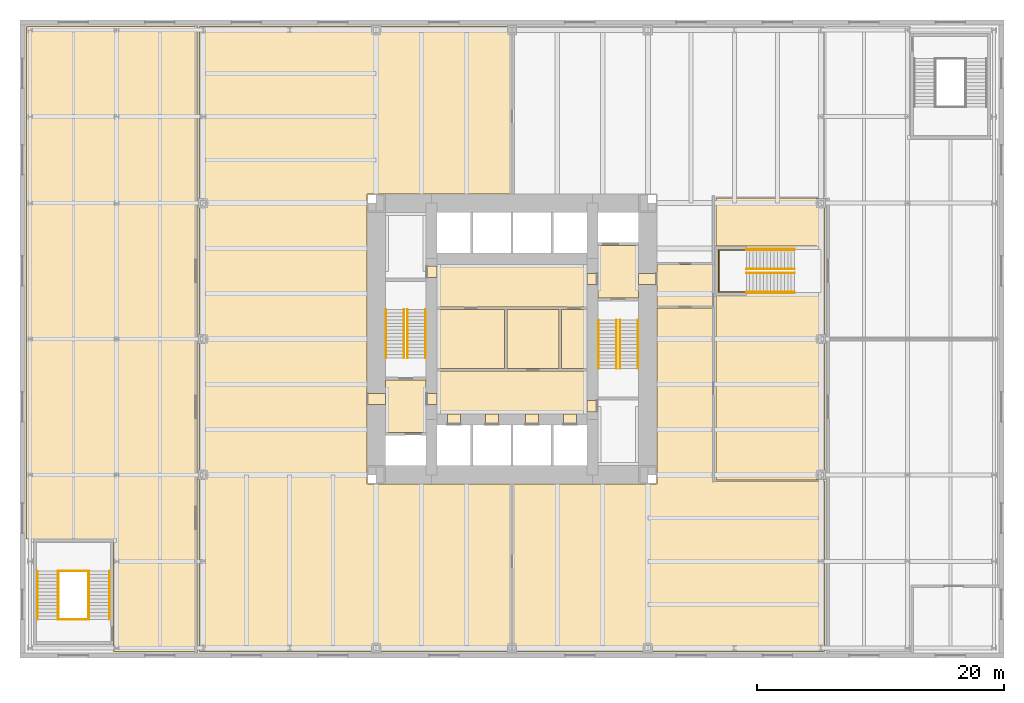
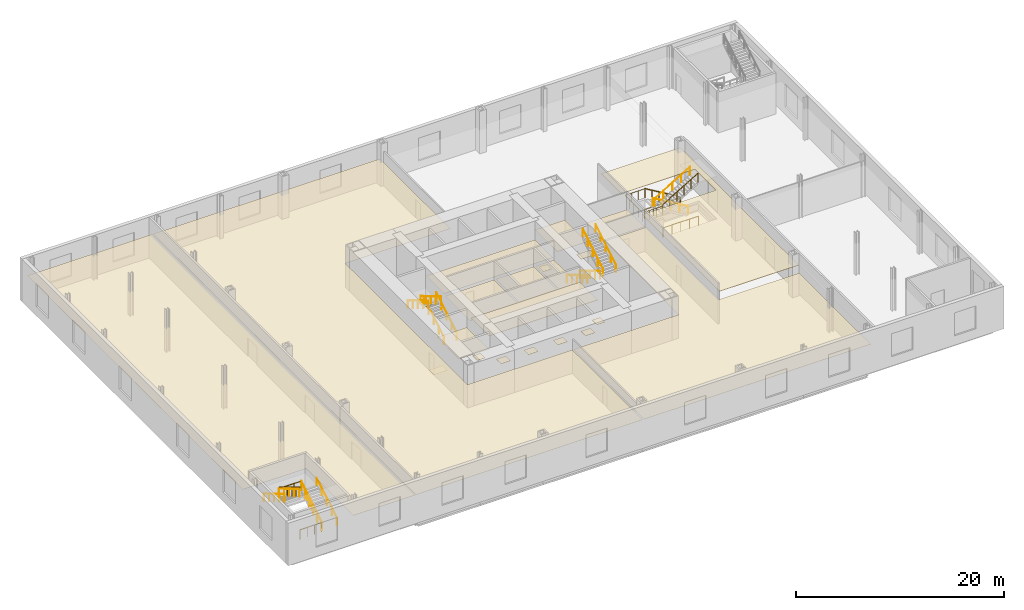
# One storey, part 12 of 13: 23 railings, 22 coverings.
"""IFC4 building model written with IfcOpenShell, lengths in metres."""

from ifc_helpers import new_model, si_unit, direction, frame, origin, origin_2d, place, context, subcontext, project, spatial, polyline, circle, outline, extrude, material, layer, layer_set, type_object, element, save


model = new_model("IFC4")

# Units and contexts
model_context = context("Model", 3, precision=1e-05, world=origin(), true_north=direction((0.0, 1.0)))
body_context = subcontext(model_context, "Body", "Model", "MODEL_VIEW")
ifc_project = project(units=[si_unit("LENGTHUNIT", "METRE"), si_unit("AREAUNIT", "SQUARE_METRE"), si_unit("VOLUMEUNIT", "CUBIC_METRE"), si_unit("PLANEANGLEUNIT", "RADIAN"), si_unit("MASSUNIT", "GRAM", prefix="KILO")], contexts=[model_context])

# Site, building, storey
site_placement = place(None, origin())
site = spatial("IfcSite", under=ifc_project, at=site_placement, CompositionType="ELEMENT")
building_placement = place(site_placement, origin())
building = spatial("IfcBuilding", under=site, at=building_placement, Name="Trevanion Tower", CompositionType="ELEMENT")
storey_placement = place(building_placement, frame((0.0, 0.0, 6.0)))
storey = spatial("IfcBuildingStorey", under=building, at=storey_placement, Name="L01", CompositionType="ELEMENT", Elevation=6.0)

# Coverings
ifc_material_1 = material(Name="Fibrous plaster coffers on suspended steel grid", Category="steel")
ifc_layer_1 = layer(ifc_material_1, 0.050048828125)
ifc_layer_set_1 = layer_set([ifc_layer_1], Name="CL1 coffered fibrous plaster ceiling 50")
covering_type_1 = type_object("IfcCoveringType", Name="CL1 coffered fibrous plaster ceiling 50", PredefinedType="CEILING", material=ifc_layer_set_1)
covering_1_placement = place(storey_placement, frame((0.0, 0.0, 3.0)))
element("IfcCovering", 1, at=covering_1_placement, inside=storey, type_object=covering_type_1, Name="CL1 L01-LBS", PredefinedType="CEILING", context=body_context, shape_type="SweptSolid", body=[
    extrude(outline(polyline([(-6.050048828125, -6.050048828125), (-6.050048828125, -2.60009765625), (6.050048828125, -2.60009765625), (6.050048828125, -6.050048828125), (-6.050048828125, -6.050048828125)])), origin(), (0.0, 0.0, 1.0), 0.050048828125),
])
covering_2_placement = place(storey_placement, frame((0.0, 0.0, 3.60009765625)))
element("IfcCovering", 2, at=covering_2_placement, inside=storey, type_object=covering_type_1, Name="CL1 L01-CF", PredefinedType="CEILING", context=body_context, shape_type="SweptSolid", body=[
    extrude(outline(polyline([(16.5, -11.39990234375), (16.5, 3.469970703125), (24.679931640625, 3.469970703125), (24.679931640625, 7.530029296875), (16.5, 7.530029296875), (16.5, 11.39990234375), (25.300048828125, 11.39990234375), (25.300048828125, -11.39990234375), (16.5, -11.39990234375)])), origin(), (0.0, 0.0, 1.0), 0.0498046875),
])
ifc_material_2 = material(Name="Mineral fibre acoustic tiles in exposed grid", Category="mineral fibre")
ifc_layer_2 = layer(ifc_material_2, 0.02001953125)
ifc_layer_set_2 = layer_set([ifc_layer_2], Name="CL2 acoustic tile ceiling 20")
covering_type_2 = type_object("IfcCoveringType", Name="CL2 acoustic tile ceiling 20", PredefinedType="CEILING", material=ifc_layer_set_2)
covering_3_placement = place(storey_placement, frame((0.0, 0.0, 2.75)))
element("IfcCovering", 3, at=covering_3_placement, inside=storey, type_object=covering_type_2, Name="CL2 L01-LBN", PredefinedType="CEILING", context=body_context, shape_type="SweptSolid", body=[
    extrude(outline(polyline([(-6.050048828125, 2.60009765625), (-6.050048828125, 6.050048828125), (6.050048828125, 6.050048828125), (6.050048828125, 2.60009765625), (-6.050048828125, 2.60009765625)])), origin(), (0.0, 0.0, 1.0), 0.02001953125),
])
covering_4_placement = place(storey_placement, frame((0.0, 0.0, 2.75)))
element("IfcCovering", 4, at=covering_4_placement, inside=storey, type_object=covering_type_2, Name="CL2 L01-OF", PredefinedType="CEILING", context=body_context, shape_type="SweptSolid", body=[
    extrude(outline(polyline([(-25.300048828125, 25.300048828125), (-0.074951171875, 25.300048828125), (-0.074951171875, 11.75), (-11.75, 11.75), (-11.75, -11.75), (-0.074951171875, -11.75), (-0.074951171875, -25.300048828125), (-25.300048828125, -25.300048828125), (-25.300048828125, 25.300048828125)])), origin(), (0.0, 0.0, 1.0), 0.02001953125),
])
covering_5_placement = place(storey_placement, frame((0.0, 0.0, 2.75)))
element("IfcCovering", 5, at=covering_5_placement, inside=storey, type_object=covering_type_2, Name="CL2 L01-FCR", PredefinedType="CEILING", context=body_context, shape_type="SweptSolid", body=[
    extrude(outline(polyline([(16.300048828125, 6.02490234375), (16.300048828125, 2.675048828125), (11.75, 2.675048828125), (11.75, 6.02490234375), (16.300048828125, 6.02490234375)])), origin(), (0.0, 0.0, 1.0), 0.02001953125),
])
covering_6_placement = place(storey_placement, frame((0.0, 0.0, 2.75)))
element("IfcCovering", 6, at=covering_6_placement, inside=storey, type_object=covering_type_2, Name="CL2 L01-BR", PredefinedType="CEILING", context=body_context, shape_type="SweptSolid", body=[
    extrude(outline(polyline([(25.300048828125, -11.5), (25.300048828125, -25.300048828125), (0.074951171875, -25.300048828125), (0.074951171875, -11.75), (11.75, -11.75), (11.75, 2.52490234375), (16.39990234375, 2.52490234375), (16.39990234375, -11.5), (25.300048828125, -11.5)])), origin(), (0.0, 0.0, 1.0), 0.02001953125),
])
covering_7_placement = place(storey_placement, frame((0.0, 0.0, 2.75)))
element("IfcCovering", 7, at=covering_7_placement, inside=storey, type_object=covering_type_2, Name="CL2 L01-MT", PredefinedType="CEILING", context=body_context, shape_type="SweptSolid", body=[
    extrude(outline(polyline([(-25.39990234375, -25.300048828125), (-32.25, -25.300048828125), (-32.25, -16.18994140625), (-39.300048828125, -16.18994140625), (-39.300048828125, 25.300048828125), (-25.39990234375, 25.300048828125), (-25.39990234375, -25.300048828125)])), origin(), (0.0, 0.0, 1.0), 0.02001953125),
])
ifc_material_3 = material(Name="Gypsum plasterboard on suspended metal furring", Category="gypsum")
ifc_layer_3 = layer(ifc_material_3, 0.012939453125)
ifc_layer_set_3 = layer_set([ifc_layer_3], Name="CL3 plasterboard ceiling 13")
covering_type_3 = type_object("IfcCoveringType", Name="CL3 plasterboard ceiling 13", PredefinedType="CEILING", material=ifc_layer_set_3)
covering_8_placement = place(storey_placement, frame((0.0, 0.0, 2.699951171875)))
element("IfcCovering", 8, at=covering_8_placement, inside=storey, type_object=covering_type_3, Name="CL3 L01-FV1", PredefinedType="CEILING", context=body_context, shape_type="SweptSolid", body=[
    extrude(outline(polyline([(6.949951171875, 3.324951171875), (6.949951171875, 7.574951171875), (10.25, 7.574951171875), (10.25, 3.324951171875), (6.949951171875, 3.324951171875)])), origin(), (0.0, 0.0, 1.0), 0.012939453125),
])
covering_9_placement = place(storey_placement, frame((0.0, 0.0, 2.699951171875)))
element("IfcCovering", 9, at=covering_9_placement, inside=storey, type_object=covering_type_3, Name="CL3 L01-FV2", PredefinedType="CEILING", context=body_context, shape_type="SweptSolid", body=[
    extrude(outline(polyline([(-6.949951171875, -3.324951171875), (-6.949951171875, -7.574951171875), (-10.25, -7.574951171875), (-10.25, -3.324951171875), (-6.949951171875, -3.324951171875)])), origin(), (0.0, 0.0, 1.0), 0.012939453125),
])
ifc_material_4 = material(Name="Moisture-resistant gypsum board on suspended metal furring", Category="gypsum")
ifc_layer_4 = layer(ifc_material_4, 0.01611328125)
ifc_layer_set_4 = layer_set([ifc_layer_4], Name="CL4 moisture-resistant board ceiling 16")
covering_type_4 = type_object("IfcCoveringType", Name="CL4 moisture-resistant board ceiling 16", PredefinedType="CEILING", material=ifc_layer_set_4)
covering_10_placement = place(storey_placement, frame((0.0, 0.0, 2.60009765625)))
element("IfcCovering", 10, at=covering_10_placement, inside=storey, type_object=covering_type_4, Name="CL4 L01-WCM", PredefinedType="CEILING", context=body_context, shape_type="SweptSolid", body=[
    extrude(outline(polyline([(-6.050048828125, -2.39990234375), (-6.050048828125, 2.39990234375), (-0.60009765625, 2.39990234375), (-0.60009765625, -2.39990234375), (-6.050048828125, -2.39990234375)])), origin(), (0.0, 0.0, 1.0), 0.015869140625),
])
covering_11_placement = place(storey_placement, frame((0.0, 0.0, 2.60009765625)))
element("IfcCovering", 11, at=covering_11_placement, inside=storey, type_object=covering_type_4, Name="CL4 L01-WCF", PredefinedType="CEILING", context=body_context, shape_type="SweptSolid", body=[
    extrude(outline(polyline([(-0.39990234375, -2.39990234375), (-0.39990234375, 2.39990234375), (3.800048828125, 2.39990234375), (3.800048828125, -2.39990234375), (-0.39990234375, -2.39990234375)])), origin(), (0.0, 0.0, 1.0), 0.015869140625),
])
covering_12_placement = place(storey_placement, frame((0.0, 0.0, 2.60009765625)))
element("IfcCovering", 12, at=covering_12_placement, inside=storey, type_object=covering_type_4, Name="CL4 L01-WCA", PredefinedType="CEILING", context=body_context, shape_type="SweptSolid", body=[
    extrude(outline(polyline([(4.0, -2.39990234375), (4.0, 2.39990234375), (6.050048828125, 2.39990234375), (6.050048828125, -2.39990234375), (4.0, -2.39990234375)])), origin(), (0.0, 0.0, 1.0), 0.015869140625),
])
ifc_material_5 = material(Name="Terrazzo, brass divider strips", Category="stone")
ifc_layer_5 = layer(ifc_material_5, 0.02001953125)
ifc_layer_set_5 = layer_set([ifc_layer_5], Name="FF1 terrazzo flooring")
covering_type_5 = type_object("IfcCoveringType", Name="FF1 terrazzo flooring", PredefinedType="FLOORING", material=ifc_layer_set_5)
covering_13_placement = place(storey_placement, origin())
element("IfcCovering", 13, at=covering_13_placement, inside=storey, type_object=covering_type_5, Name="FF1 threshold 01-001", PredefinedType="FLOORING", context=body_context, shape_type="SweptSolid", body=[
    extrude(outline(polyline([(11.75, 4.392578125), (11.75, 5.3076171875), (10.25, 5.3076171875), (10.25, 4.392578125), (11.75, 4.392578125)])), origin(), (0.0, 0.0, 1.0), 0.02001953125),
])
covering_14_placement = place(storey_placement, origin())
element("IfcCovering", 14, at=covering_14_placement, inside=storey, type_object=covering_type_5, Name="FF1 threshold 01-002", PredefinedType="FLOORING", context=body_context, shape_type="SweptSolid", body=[
    extrude(outline(polyline([(-11.75, -4.392578125), (-11.75, -5.3076171875), (-10.25, -5.3076171875), (-10.25, -4.392578125), (-11.75, -4.392578125)])), origin(), (0.0, 0.0, 1.0), 0.02001953125),
])
covering_15_placement = place(storey_placement, origin())
element("IfcCovering", 15, at=covering_15_placement, inside=storey, type_object=covering_type_5, Name="FF1 threshold 01-003", PredefinedType="FLOORING", context=body_context, shape_type="SweptSolid", body=[
    extrude(outline(polyline([(6.949951171875, 4.392578125), (6.949951171875, 5.3076171875), (6.050048828125, 5.3076171875), (6.050048828125, 4.392578125), (6.949951171875, 4.392578125)])), origin(), (0.0, 0.0, 1.0), 0.02001953125),
])
covering_16_placement = place(storey_placement, origin())
element("IfcCovering", 16, at=covering_16_placement, inside=storey, type_object=covering_type_5, Name="FF1 threshold 01-004", PredefinedType="FLOORING", context=body_context, shape_type="SweptSolid", body=[
    extrude(outline(polyline([(-6.949951171875, -4.392578125), (-6.949951171875, -5.3076171875), (-6.050048828125, -5.3076171875), (-6.050048828125, -4.392578125), (-6.949951171875, -4.392578125)])), origin(), (0.0, 0.0, 1.0), 0.02001953125),
])
covering_17_placement = place(storey_placement, origin())
element("IfcCovering", 17, at=covering_17_placement, inside=storey, type_object=covering_type_5, Name="FF1 threshold 01-009", PredefinedType="FLOORING", context=body_context, shape_type="SweptSolid", body=[
    extrude(outline(polyline([(6.949951171875, -5.889892578125), (6.949951171875, -4.97509765625), (6.050048828125, -4.97509765625), (6.050048828125, -5.889892578125), (6.949951171875, -5.889892578125)])), origin(), (0.0, 0.0, 1.0), 0.02001953125),
])
covering_18_placement = place(storey_placement, origin())
element("IfcCovering", 18, at=covering_18_placement, inside=storey, type_object=covering_type_5, Name="FF1 threshold 01-010", PredefinedType="FLOORING", context=body_context, shape_type="SweptSolid", body=[
    extrude(outline(polyline([(-6.949951171875, 5.889892578125), (-6.949951171875, 4.97509765625), (-6.050048828125, 4.97509765625), (-6.050048828125, 5.889892578125), (-6.949951171875, 5.889892578125)])), origin(), (0.0, 0.0, 1.0), 0.02001953125),
])
covering_19_placement = place(storey_placement, origin())
element("IfcCovering", 19, at=covering_19_placement, inside=storey, type_object=covering_type_5, Name="FF1 threshold 01-011", PredefinedType="FLOORING", context=body_context, shape_type="SweptSolid", body=[
    extrude(outline(polyline([(-5.2333984375, -6.949951171875), (-4.16650390625, -6.949951171875), (-4.16650390625, -6.050048828125), (-5.2333984375, -6.050048828125), (-5.2333984375, -6.949951171875)])), origin(), (0.0, 0.0, 1.0), 0.02001953125),
])
covering_20_placement = place(storey_placement, origin())
element("IfcCovering", 20, at=covering_20_placement, inside=storey, type_object=covering_type_5, Name="FF1 threshold 01-012", PredefinedType="FLOORING", context=body_context, shape_type="SweptSolid", body=[
    extrude(outline(polyline([(-2.158447265625, -6.949951171875), (-1.091552734375, -6.949951171875), (-1.091552734375, -6.050048828125), (-2.158447265625, -6.050048828125), (-2.158447265625, -6.949951171875)])), origin(), (0.0, 0.0, 1.0), 0.02001953125),
])
covering_21_placement = place(storey_placement, origin())
element("IfcCovering", 21, at=covering_21_placement, inside=storey, type_object=covering_type_5, Name="FF1 threshold 01-013", PredefinedType="FLOORING", context=body_context, shape_type="SweptSolid", body=[
    extrude(outline(polyline([(1.091552734375, -6.949951171875), (2.158447265625, -6.949951171875), (2.158447265625, -6.050048828125), (1.091552734375, -6.050048828125), (1.091552734375, -6.949951171875)])), origin(), (0.0, 0.0, 1.0), 0.02001953125),
])
covering_22_placement = place(storey_placement, origin())
element("IfcCovering", 22, at=covering_22_placement, inside=storey, type_object=covering_type_5, Name="FF1 threshold 01-014", PredefinedType="FLOORING", context=body_context, shape_type="SweptSolid", body=[
    extrude(outline(polyline([(4.16650390625, -6.949951171875), (5.2333984375, -6.949951171875), (5.2333984375, -6.050048828125), (4.16650390625, -6.050048828125), (4.16650390625, -6.949951171875)])), origin(), (0.0, 0.0, 1.0), 0.02001953125),
])

# Railings
ifc_material_6 = material(Name="Painted steel balusters and stainless steel top rail", Category="steel")
railing_type_1 = type_object("IfcRailingType", Name="GR1 stair guard 1100", PredefinedType="GUARDRAIL", material=ifc_material_6)
for number, where, name in (
    (23, (-34.284912109375, -22.705078125, 0.0), "GR1 ST4 L01 floor landing well guard"),
    (24, (-34.284912109375, -18.784912109375, 2.5), "GR1 ST4 L01 half landing well guard"),
):
    element("IfcRailing", number, at=place(storey_placement, frame(where)), inside=storey, type_object=railing_type_1, Name=name, PredefinedType="GUARDRAIL", context=body_context, shape_type="SweptSolid", body=[
        extrude(circle(Radius=0.02490234375, at=origin_2d()), frame((0.0, 0.0, 1.0751953125), z_axis=(-1.0, 0.0, 0.0), x_axis=(0.0, -1.0, 0.0)), (0.0, 0.0, 1.0), 2.405029296875),
        extrude(circle(Radius=0.02001953125, at=origin_2d()), origin(), (0.0, 0.0, 1.0), 1.050048828125),
        extrude(circle(Radius=0.02001953125, at=origin_2d()), frame((-0.8017578125, 0.0, 0.0)), (0.0, 0.0, 1.0), 1.050048828125),
        extrude(circle(Radius=0.02001953125, at=origin_2d()), frame((-1.603271484375, 0.0, 0.0)), (0.0, 0.0, 1.0), 1.050048828125),
        extrude(circle(Radius=0.02001953125, at=origin_2d()), frame((-2.405029296875, 0.0, 0.0)), (0.0, 0.0, 1.0), 1.050048828125),
    ])
railing_1_placement = place(storey_placement, frame((-34.284912109375, -22.705078125, 0.166748046875)))
element("IfcRailing", 25, at=railing_1_placement, inside=storey, type_object=railing_type_1, Name="GR1 ST4 L01 flight 1 well guard", PredefinedType="GUARDRAIL", context=body_context, shape_type="SweptSolid", body=[
    extrude(circle(Radius=0.02490234375, at=origin_2d()), frame((0.0, 0.0, 1.0751953125), z_axis=(0.0, 0.859310244771, 0.511454693235), x_axis=(-1.0, 0.0, 0.0)), (0.0, 0.0, 1.0), 4.56201171875),
    extrude(circle(Radius=0.02001953125, at=origin_2d()), origin(), (0.0, 0.0, 1.0), 1.050048828125),
    extrude(circle(Radius=0.02001953125, at=origin_2d()), frame((0.0, 0.783935546875, 0.466552734375)), (0.0, 0.0, 1.0), 1.050048828125),
    extrude(circle(Radius=0.02001953125, at=origin_2d()), frame((0.0, 1.568115234375, 0.933349609375)), (0.0, 0.0, 1.0), 1.050048828125),
    extrude(circle(Radius=0.02001953125, at=origin_2d()), frame((0.0, 2.35205078125, 1.39990234375)), (0.0, 0.0, 1.0), 1.050048828125),
    extrude(circle(Radius=0.02001953125, at=origin_2d()), frame((0.0, 3.13623046875, 1.86669921875)), (0.0, 0.0, 1.0), 1.050048828125),
    extrude(circle(Radius=0.02001953125, at=origin_2d()), frame((0.0, 3.920166015625, 2.333251953125)), (0.0, 0.0, 1.0), 1.050048828125),
])
railing_2_placement = place(storey_placement, frame((-36.68994140625, -18.784912109375, 2.666748046875)))
element("IfcRailing", 26, at=railing_2_placement, inside=storey, type_object=railing_type_1, Name="GR1 ST4 L01 flight 2 well guard", PredefinedType="GUARDRAIL", context=body_context, shape_type="SweptSolid", body=[
    extrude(circle(Radius=0.02490234375, at=origin_2d()), frame((0.0, 0.0, 1.0751953125), z_axis=(0.0, -0.859310244771, 0.511454693235), x_axis=(1.0, 0.0, 0.0)), (0.0, 0.0, 1.0), 4.56201171875),
    extrude(circle(Radius=0.02001953125, at=origin_2d()), origin(), (0.0, 0.0, 1.0), 1.050048828125),
    extrude(circle(Radius=0.02001953125, at=origin_2d()), frame((0.0, -0.783935546875, 0.466552734375)), (0.0, 0.0, 1.0), 1.050048828125),
    extrude(circle(Radius=0.02001953125, at=origin_2d()), frame((0.0, -1.568115234375, 0.933349609375)), (0.0, 0.0, 1.0), 1.050048828125),
    extrude(circle(Radius=0.02001953125, at=origin_2d()), frame((0.0, -2.35205078125, 1.39990234375)), (0.0, 0.0, 1.0), 1.050048828125),
    extrude(circle(Radius=0.02001953125, at=origin_2d()), frame((0.0, -3.13623046875, 1.86669921875)), (0.0, 0.0, 1.0), 1.050048828125),
    extrude(circle(Radius=0.02001953125, at=origin_2d()), frame((0.0, -3.920166015625, 2.333251953125)), (0.0, 0.0, 1.0), 1.050048828125),
])
ifc_material_7 = material(Name="Cast bronze balusters and bronze top rail", Category="bronze")
railing_type_2 = type_object("IfcRailingType", Name="GR2 grand stair balustrade 1100", PredefinedType="GUARDRAIL", material=ifc_material_7)
railing_3_placement = place(storey_placement, frame((22.8798828125, 7.280029296875, 0.0)))
element("IfcRailing", 27, at=railing_3_placement, inside=storey, type_object=railing_type_2, Name="GR2 GS1 L01 well balustrade north", PredefinedType="GUARDRAIL", context=body_context, shape_type="SweptSolid", body=[
    extrude(circle(Radius=0.02490234375, at=origin_2d()), frame((0.0, 0.0, 1.0751953125), z_axis=(-1.0, 0.0, 0.0), x_axis=(0.0, -1.0, 0.0)), (0.0, 0.0, 1.0), 3.919921875),
    extrude(circle(Radius=0.02001953125, at=origin_2d()), origin(), (0.0, 0.0, 1.0), 1.050048828125),
    extrude(circle(Radius=0.02001953125, at=origin_2d()), frame((-0.97998046875, 0.0, 0.0)), (0.0, 0.0, 1.0), 1.050048828125),
    extrude(circle(Radius=0.02001953125, at=origin_2d()), frame((-1.9599609375, 0.0, 0.0)), (0.0, 0.0, 1.0), 1.050048828125),
    extrude(circle(Radius=0.02001953125, at=origin_2d()), frame((-2.93994140625, 0.0, 0.0)), (0.0, 0.0, 1.0), 1.050048828125),
    extrude(circle(Radius=0.02001953125, at=origin_2d()), frame((-3.919921875, 0.0, 0.0)), (0.0, 0.0, 1.0), 1.050048828125),
])
railing_4_placement = place(storey_placement, frame((18.9599609375, 3.719970703125, 0.0)))
element("IfcRailing", 28, at=railing_4_placement, inside=storey, type_object=railing_type_2, Name="GR2 GS1 L01 well balustrade south", PredefinedType="GUARDRAIL", context=body_context, shape_type="SweptSolid", body=[
    extrude(circle(Radius=0.02490234375, at=origin_2d()), frame((0.0, 0.0, 1.0751953125), z_axis=(1.0, 0.0, 0.0), x_axis=(0.0, 1.0, 0.0)), (0.0, 0.0, 1.0), 3.919921875),
    extrude(circle(Radius=0.02001953125, at=origin_2d()), origin(), (0.0, 0.0, 1.0), 1.050048828125),
    extrude(circle(Radius=0.02001953125, at=origin_2d()), frame((0.97998046875, 0.0, 0.0)), (0.0, 0.0, 1.0), 1.050048828125),
    extrude(circle(Radius=0.02001953125, at=origin_2d()), frame((1.9599609375, 0.0, 0.0)), (0.0, 0.0, 1.0), 1.050048828125),
    extrude(circle(Radius=0.02001953125, at=origin_2d()), frame((2.93994140625, 0.0, 0.0)), (0.0, 0.0, 1.0), 1.050048828125),
    extrude(circle(Radius=0.02001953125, at=origin_2d()), frame((3.919921875, 0.0, 0.0)), (0.0, 0.0, 1.0), 1.050048828125),
])
railing_5_placement = place(storey_placement, frame((22.8798828125, 7.199951171875, 0.166748046875)))
element("IfcRailing", 29, at=railing_5_placement, inside=storey, type_object=railing_type_2, Name="GR2 GS2 L01 flight 1 balustrade", PredefinedType="GUARDRAIL", context=body_context, shape_type="SweptSolid", body=[
    extrude(circle(Radius=0.02490234375, at=origin_2d()), frame((0.0, 0.0, 1.0751953125), z_axis=(-0.859296244711, 0.0, 0.511478214419), x_axis=(0.0, -1.0, 0.0)), (0.0, 0.0, 1.0), 4.561767578125),
    extrude(circle(Radius=0.02001953125, at=origin_2d()), origin(), (0.0, 0.0, 1.0), 1.050048828125),
    extrude(circle(Radius=0.02001953125, at=origin_2d()), frame((-0.783935546875, 0.0, 0.466552734375)), (0.0, 0.0, 1.0), 1.050048828125),
    extrude(circle(Radius=0.02001953125, at=origin_2d()), frame((-1.56787109375, 0.0, 0.933349609375)), (0.0, 0.0, 1.0), 1.050048828125),
    extrude(circle(Radius=0.02001953125, at=origin_2d()), frame((-2.35205078125, 0.0, 1.39990234375)), (0.0, 0.0, 1.0), 1.050048828125),
    extrude(circle(Radius=0.02001953125, at=origin_2d()), frame((-3.135986328125, 0.0, 1.86669921875)), (0.0, 0.0, 1.0), 1.050048828125),
    extrude(circle(Radius=0.02001953125, at=origin_2d()), frame((-3.919921875, 0.0, 2.333251953125)), (0.0, 0.0, 1.0), 1.050048828125),
])
railing_6_placement = place(storey_placement, frame((18.9599609375, 3.800048828125, 2.666748046875)))
element("IfcRailing", 30, at=railing_6_placement, inside=storey, type_object=railing_type_2, Name="GR2 GS2 L01 flight 2 balustrade", PredefinedType="GUARDRAIL", context=body_context, shape_type="SweptSolid", body=[
    extrude(circle(Radius=0.02490234375, at=origin_2d()), frame((0.0, 0.0, 1.0751953125), z_axis=(0.859296244711, 0.0, 0.511478214419), x_axis=(0.0, 1.0, 0.0)), (0.0, 0.0, 1.0), 4.561767578125),
    extrude(circle(Radius=0.02001953125, at=origin_2d()), origin(), (0.0, 0.0, 1.0), 1.050048828125),
    extrude(circle(Radius=0.02001953125, at=origin_2d()), frame((0.783935546875, 0.0, 0.466552734375)), (0.0, 0.0, 1.0), 1.050048828125),
    extrude(circle(Radius=0.02001953125, at=origin_2d()), frame((1.56787109375, 0.0, 0.933349609375)), (0.0, 0.0, 1.0), 1.050048828125),
    extrude(circle(Radius=0.02001953125, at=origin_2d()), frame((2.35205078125, 0.0, 1.39990234375)), (0.0, 0.0, 1.0), 1.050048828125),
    extrude(circle(Radius=0.02001953125, at=origin_2d()), frame((3.135986328125, 0.0, 1.86669921875)), (0.0, 0.0, 1.0), 1.050048828125),
    extrude(circle(Radius=0.02001953125, at=origin_2d()), frame((3.919921875, 0.0, 2.333251953125)), (0.0, 0.0, 1.0), 1.050048828125),
])
railing_7_placement = place(storey_placement, frame((18.9599609375, 7.199951171875, 2.5)))
element("IfcRailing", 31, at=railing_7_placement, inside=storey, type_object=railing_type_2, Name="GR2 GS2 L01 half landing balustrade", PredefinedType="GUARDRAIL", context=body_context, shape_type="SweptSolid", body=[
    extrude(circle(Radius=0.02490234375, at=origin_2d()), frame((0.0, 0.0, 1.0751953125), z_axis=(-1.0, 0.0, 0.0), x_axis=(0.0, -1.0, 0.0)), (0.0, 0.0, 1.0), 2.22998046875),
    extrude(circle(Radius=0.02490234375, at=origin_2d()), frame((-2.22998046875, 0.0, 1.0751953125), z_axis=(0.0, -1.0, 0.0), x_axis=(1.0, 0.0, 0.0)), (0.0, 0.0, 1.0), 3.39990234375),
    extrude(circle(Radius=0.02490234375, at=origin_2d()), frame((-2.22998046875, -3.39990234375, 1.0751953125), z_axis=(1.0, 0.0, 0.0), x_axis=(0.0, 1.0, 0.0)), (0.0, 0.0, 1.0), 2.22998046875),
    extrude(circle(Radius=0.02001953125, at=origin_2d()), origin(), (0.0, 0.0, 1.0), 1.050048828125),
    extrude(circle(Radius=0.02001953125, at=origin_2d()), frame((-0.743408203125, 0.0, 0.0)), (0.0, 0.0, 1.0), 1.050048828125),
    extrude(circle(Radius=0.02001953125, at=origin_2d()), frame((-1.486572265625, 0.0, 0.0)), (0.0, 0.0, 1.0), 1.050048828125),
    extrude(circle(Radius=0.02001953125, at=origin_2d()), frame((-2.22998046875, 0.0, 0.0)), (0.0, 0.0, 1.0), 1.050048828125),
    extrude(circle(Radius=0.02001953125, at=origin_2d()), frame((-2.22998046875, -0.85009765625, 0.0)), (0.0, 0.0, 1.0), 1.050048828125),
    extrude(circle(Radius=0.02001953125, at=origin_2d()), frame((-2.22998046875, -1.699951171875, 0.0)), (0.0, 0.0, 1.0), 1.050048828125),
    extrude(circle(Radius=0.02001953125, at=origin_2d()), frame((-2.22998046875, -2.5498046875, 0.0)), (0.0, 0.0, 1.0), 1.050048828125),
    extrude(circle(Radius=0.02001953125, at=origin_2d()), frame((-2.22998046875, -3.39990234375, 0.0)), (0.0, 0.0, 1.0), 1.050048828125),
    extrude(circle(Radius=0.02001953125, at=origin_2d()), frame((-1.486572265625, -3.39990234375, 0.0)), (0.0, 0.0, 1.0), 1.050048828125),
    extrude(circle(Radius=0.02001953125, at=origin_2d()), frame((-0.743408203125, -3.39990234375, 0.0)), (0.0, 0.0, 1.0), 1.050048828125),
    extrude(circle(Radius=0.02001953125, at=origin_2d()), frame((0.0, -3.39990234375, 0.0)), (0.0, 0.0, 1.0), 1.050048828125),
])
ifc_material_8 = material(Name="Stainless steel tube 40 mm", Category="steel")
railing_type_3 = type_object("IfcRailingType", Name="HR1 handrail", PredefinedType="HANDRAIL", material=ifc_material_8)
for number, where, name in (
    (32, (7.010009765625, 1.52490234375, 0.166748046875), "HR1 ST1 L01 flight 1"),
    (33, (8.43994140625, 1.52490234375, 0.166748046875), "HR1 ST1 L01 flight 1"),
):
    element("IfcRailing", number, at=place(storey_placement, frame(where)), inside=storey, type_object=railing_type_3, Name=name, PredefinedType="HANDRAIL", context=body_context, shape_type="SweptSolid", body=[
        extrude(circle(Radius=0.02001953125, at=origin_2d()), frame((0.0, 0.0, 0.8798828125), z_axis=(0.0, -0.859296244711, 0.511478214419), x_axis=(1.0, 0.0, 0.0)), (0.0, 0.0, 1.0), 4.561767578125),
        extrude(circle(Radius=0.01513671875, at=origin_2d()), origin(), (0.0, 0.0, 1.0), 0.85986328125),
        extrude(circle(Radius=0.01513671875, at=origin_2d()), frame((0.0, -0.97998046875, 0.583251953125)), (0.0, 0.0, 1.0), 0.85986328125),
        extrude(circle(Radius=0.01513671875, at=origin_2d()), frame((0.0, -1.9599609375, 1.16650390625)), (0.0, 0.0, 1.0), 0.85986328125),
        extrude(circle(Radius=0.01513671875, at=origin_2d()), frame((0.0, -2.93994140625, 1.75)), (0.0, 0.0, 1.0), 0.85986328125),
        extrude(circle(Radius=0.01513671875, at=origin_2d()), frame((0.0, -3.919921875, 2.333251953125)), (0.0, 0.0, 1.0), 0.85986328125),
    ])
for number, where, name in (
    (34, (8.760009765625, -2.39501953125, 2.666748046875), "HR1 ST1 L01 flight 2"),
    (35, (10.18994140625, -2.39501953125, 2.666748046875), "HR1 ST1 L01 flight 2"),
    (36, (-7.010009765625, -1.52490234375, 0.166748046875), "HR1 ST2 L01 flight 1"),
    (37, (-8.43994140625, -1.52490234375, 0.166748046875), "HR1 ST2 L01 flight 1"),
):
    element("IfcRailing", number, at=place(storey_placement, frame(where)), inside=storey, type_object=railing_type_3, Name=name, PredefinedType="HANDRAIL", context=body_context, shape_type="SweptSolid", body=[
        extrude(circle(Radius=0.02001953125, at=origin_2d()), frame((0.0, 0.0, 0.8798828125), z_axis=(0.0, 0.859296244711, 0.511478214419), x_axis=(-1.0, 0.0, 0.0)), (0.0, 0.0, 1.0), 4.561767578125),
        extrude(circle(Radius=0.01513671875, at=origin_2d()), origin(), (0.0, 0.0, 1.0), 0.85986328125),
        extrude(circle(Radius=0.01513671875, at=origin_2d()), frame((0.0, 0.97998046875, 0.583251953125)), (0.0, 0.0, 1.0), 0.85986328125),
        extrude(circle(Radius=0.01513671875, at=origin_2d()), frame((0.0, 1.9599609375, 1.16650390625)), (0.0, 0.0, 1.0), 0.85986328125),
        extrude(circle(Radius=0.01513671875, at=origin_2d()), frame((0.0, 2.93994140625, 1.75)), (0.0, 0.0, 1.0), 0.85986328125),
        extrude(circle(Radius=0.01513671875, at=origin_2d()), frame((0.0, 3.919921875, 2.333251953125)), (0.0, 0.0, 1.0), 0.85986328125),
    ])
for number, where, name in (
    (38, (-8.760009765625, 2.39501953125, 2.666748046875), "HR1 ST2 L01 flight 2"),
    (39, (-10.18994140625, 2.39501953125, 2.666748046875), "HR1 ST2 L01 flight 2"),
):
    element("IfcRailing", number, at=place(storey_placement, frame(where)), inside=storey, type_object=railing_type_3, Name=name, PredefinedType="HANDRAIL", context=body_context, shape_type="SweptSolid", body=[
        extrude(circle(Radius=0.02001953125, at=origin_2d()), frame((0.0, 0.0, 0.8798828125), z_axis=(0.0, -0.859296244711, 0.511478214419), x_axis=(1.0, 0.0, 0.0)), (0.0, 0.0, 1.0), 4.561767578125),
        extrude(circle(Radius=0.01513671875, at=origin_2d()), origin(), (0.0, 0.0, 1.0), 0.85986328125),
        extrude(circle(Radius=0.01513671875, at=origin_2d()), frame((0.0, -0.97998046875, 0.583251953125)), (0.0, 0.0, 1.0), 0.85986328125),
        extrude(circle(Radius=0.01513671875, at=origin_2d()), frame((0.0, -1.9599609375, 1.16650390625)), (0.0, 0.0, 1.0), 0.85986328125),
        extrude(circle(Radius=0.01513671875, at=origin_2d()), frame((0.0, -2.93994140625, 1.75)), (0.0, 0.0, 1.0), 0.85986328125),
        extrude(circle(Radius=0.01513671875, at=origin_2d()), frame((0.0, -3.919921875, 2.333251953125)), (0.0, 0.0, 1.0), 0.85986328125),
    ])
for number, where, name in (
    (40, (-32.56005859375, -22.705078125, 0.166748046875), "HR1 ST4 L01 flight 1"),
    (41, (-34.22509765625, -22.705078125, 0.166748046875), "HR1 ST4 L01 flight 1"),
):
    element("IfcRailing", number, at=place(storey_placement, frame(where)), inside=storey, type_object=railing_type_3, Name=name, PredefinedType="HANDRAIL", context=body_context, shape_type="SweptSolid", body=[
        extrude(circle(Radius=0.02001953125, at=origin_2d()), frame((0.0, 0.0, 0.8798828125), z_axis=(0.0, 0.859310244771, 0.511454693235), x_axis=(-1.0, 0.0, 0.0)), (0.0, 0.0, 1.0), 4.56201171875),
        extrude(circle(Radius=0.01513671875, at=origin_2d()), origin(), (0.0, 0.0, 1.0), 0.85986328125),
        extrude(circle(Radius=0.01513671875, at=origin_2d()), frame((0.0, 0.97998046875, 0.583251953125)), (0.0, 0.0, 1.0), 0.85986328125),
        extrude(circle(Radius=0.01513671875, at=origin_2d()), frame((0.0, 1.9599609375, 1.16650390625)), (0.0, 0.0, 1.0), 0.85986328125),
        extrude(circle(Radius=0.01513671875, at=origin_2d()), frame((0.0, 2.940185546875, 1.75)), (0.0, 0.0, 1.0), 0.85986328125),
        extrude(circle(Radius=0.01513671875, at=origin_2d()), frame((0.0, 3.920166015625, 2.333251953125)), (0.0, 0.0, 1.0), 0.85986328125),
    ])
for number, where, name in (
    (42, (-36.75, -18.784912109375, 2.666748046875), "HR1 ST4 L01 flight 2"),
    (43, (-38.4150390625, -18.784912109375, 2.666748046875), "HR1 ST4 L01 flight 2"),
):
    element("IfcRailing", number, at=place(storey_placement, frame(where)), inside=storey, type_object=railing_type_3, Name=name, PredefinedType="HANDRAIL", context=body_context, shape_type="SweptSolid", body=[
        extrude(circle(Radius=0.02001953125, at=origin_2d()), frame((0.0, 0.0, 0.8798828125), z_axis=(0.0, -0.859310244771, 0.511454693235), x_axis=(1.0, 0.0, 0.0)), (0.0, 0.0, 1.0), 4.56201171875),
        extrude(circle(Radius=0.01513671875, at=origin_2d()), origin(), (0.0, 0.0, 1.0), 0.85986328125),
        extrude(circle(Radius=0.01513671875, at=origin_2d()), frame((0.0, -0.97998046875, 0.583251953125)), (0.0, 0.0, 1.0), 0.85986328125),
        extrude(circle(Radius=0.01513671875, at=origin_2d()), frame((0.0, -1.9599609375, 1.16650390625)), (0.0, 0.0, 1.0), 0.85986328125),
        extrude(circle(Radius=0.01513671875, at=origin_2d()), frame((0.0, -2.940185546875, 1.75)), (0.0, 0.0, 1.0), 0.85986328125),
        extrude(circle(Radius=0.01513671875, at=origin_2d()), frame((0.0, -3.920166015625, 2.333251953125)), (0.0, 0.0, 1.0), 0.85986328125),
    ])
railing_8_placement = place(storey_placement, frame((22.8798828125, 5.659912109375, 0.166748046875)))
element("IfcRailing", 44, at=railing_8_placement, inside=storey, type_object=railing_type_3, Name="HR1 GS2 L01 flight 1", PredefinedType="HANDRAIL", context=body_context, shape_type="SweptSolid", body=[
    extrude(circle(Radius=0.02001953125, at=origin_2d()), frame((0.0, 0.0, 0.8798828125), z_axis=(-0.859296244711, 0.0, 0.511478214419), x_axis=(0.0, -1.0, 0.0)), (0.0, 0.0, 1.0), 4.561767578125),
    extrude(circle(Radius=0.01513671875, at=origin_2d()), origin(), (0.0, 0.0, 1.0), 0.85986328125),
    extrude(circle(Radius=0.01513671875, at=origin_2d()), frame((-0.97998046875, 0.0, 0.583251953125)), (0.0, 0.0, 1.0), 0.85986328125),
    extrude(circle(Radius=0.01513671875, at=origin_2d()), frame((-1.9599609375, 0.0, 1.16650390625)), (0.0, 0.0, 1.0), 0.85986328125),
    extrude(circle(Radius=0.01513671875, at=origin_2d()), frame((-2.93994140625, 0.0, 1.75)), (0.0, 0.0, 1.0), 0.85986328125),
    extrude(circle(Radius=0.01513671875, at=origin_2d()), frame((-3.919921875, 0.0, 2.333251953125)), (0.0, 0.0, 1.0), 0.85986328125),
])
railing_9_placement = place(storey_placement, frame((18.9599609375, 5.340087890625, 2.666748046875)))
element("IfcRailing", 45, at=railing_9_placement, inside=storey, type_object=railing_type_3, Name="HR1 GS2 L01 flight 2", PredefinedType="HANDRAIL", context=body_context, shape_type="SweptSolid", body=[
    extrude(circle(Radius=0.02001953125, at=origin_2d()), frame((0.0, 0.0, 0.8798828125), z_axis=(0.859296244711, 0.0, 0.511478214419), x_axis=(0.0, 1.0, 0.0)), (0.0, 0.0, 1.0), 4.561767578125),
    extrude(circle(Radius=0.01513671875, at=origin_2d()), origin(), (0.0, 0.0, 1.0), 0.85986328125),
    extrude(circle(Radius=0.01513671875, at=origin_2d()), frame((0.97998046875, 0.0, 0.583251953125)), (0.0, 0.0, 1.0), 0.85986328125),
    extrude(circle(Radius=0.01513671875, at=origin_2d()), frame((1.9599609375, 0.0, 1.16650390625)), (0.0, 0.0, 1.0), 0.85986328125),
    extrude(circle(Radius=0.01513671875, at=origin_2d()), frame((2.93994140625, 0.0, 1.75)), (0.0, 0.0, 1.0), 0.85986328125),
    extrude(circle(Radius=0.01513671875, at=origin_2d()), frame((3.919921875, 0.0, 2.333251953125)), (0.0, 0.0, 1.0), 0.85986328125),
])

save(model, "model.ifc")
